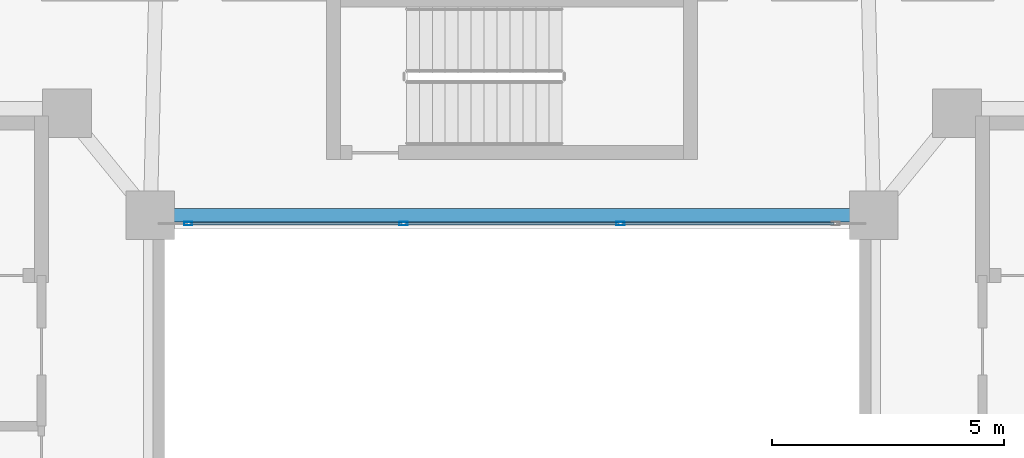
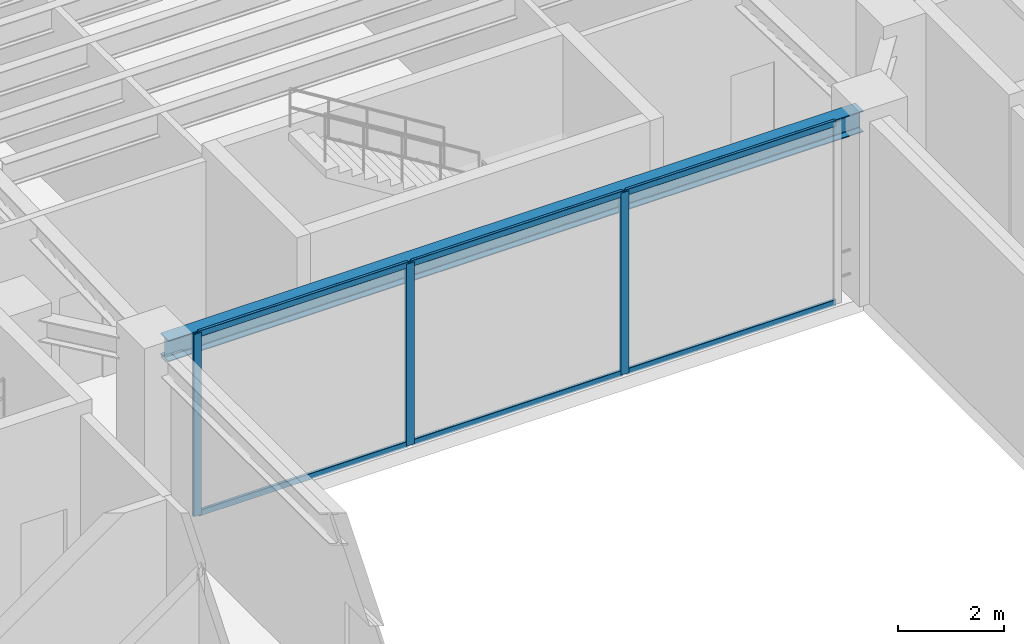
# One storey, part 10 of 33: 9 members, 1 beam, 1 element without a shape of its own.
"""IFC4 building model written with IfcOpenShell, lengths in metres."""

from ifc_helpers import new_model, si_unit, direction, frame, origin, origin_2d, place, context, subcontext, project, spatial, hollow_rectangle, i_section, extrude, material, layer, layer_set, material_profile, profile_set, type_object, element, aggregate, save


model = new_model("IFC4")

# Units and contexts
model_context = context("Model", 3, precision=1e-05, world=origin(), true_north=direction((0.0, 1.0)))
body_context = subcontext(model_context, "Body", "Model", "MODEL_VIEW")
ifc_project = project(units=[si_unit("LENGTHUNIT", "METRE"), si_unit("AREAUNIT", "SQUARE_METRE"), si_unit("VOLUMEUNIT", "CUBIC_METRE"), si_unit("PLANEANGLEUNIT", "RADIAN"), si_unit("MASSUNIT", "GRAM", prefix="KILO")], contexts=[model_context])

# Site, building, storey
site_placement = place(None, origin())
site = spatial("IfcSite", under=ifc_project, at=site_placement, CompositionType="ELEMENT")
building_placement = place(site_placement, origin())
building = spatial("IfcBuilding", under=site, at=building_placement, Name="Tarnavaz Court Tower", CompositionType="ELEMENT")
storey_placement = place(building_placement, frame((0.0, 0.0, 172.800048828125)))
storey = spatial("IfcBuildingStorey", under=building, at=storey_placement, Name="L47", CompositionType="ELEMENT", Elevation=172.800048828125)

# Beam
ifc_material_1 = material(Name="Steel S355", Category="steel")
ifc_material_profile_1 = material_profile(ifc_material_1, i_section(OverallWidth=0.300048828125, OverallDepth=0.489990234375, WebThickness=0.011962890625, FlangeThickness=0.02294921875, FilletRadius=0.027099609375, at=origin_2d()), Name="HEA 500")
ifc_profile_set_1 = profile_set([ifc_material_profile_1], Name="Steel S355")
beam_type = type_object("IfcBeamType", Name="BM-SP-HEA500", PredefinedType="SPANDREL", material=ifc_profile_set_1)
beam_placement = place(storey_placement, frame((-7.580078125, 7.800048828125, 3.954833984375), z_axis=(1.0, 0.0, 0.0), x_axis=(0.0, 1.0, 0.0)))
element("IfcBeam", 1, at=beam_placement, inside=storey, type_object=beam_type, Name="L47 Beam IN-IW-NW-IW-NE", PredefinedType="SPANDREL", context=body_context, shape_type="SweptSolid", body=[
    extrude(i_section(OverallWidth=0.300048828125, OverallDepth=0.489990234375, WebThickness=0.011962890625, FlangeThickness=0.02294921875, FilletRadius=0.027099609375, at=origin_2d()), origin(), (0.0, 0.0, 1.0), 15.16015625),
])

# Curtain wall, members
ifc_material_2 = material(Name="Anodised Aluminium 6063-T6 and Solar Low-E Glazing", Category="aluminium")
ifc_layer = layer(ifc_material_2, 0.139892578125)
ifc_layer_set = layer_set([ifc_layer], Name="Anodised Aluminium 6063-T6 and Solar Low-E Glazing")
curtain_wall_type = type_object("IfcCurtainWallType", Name="CW-SYS-04", PredefinedType="NOTDEFINED", material=ifc_layer_set)
curtain_wall_placement = place(storey_placement, origin())
curtain_wall = element("IfcCurtainWall", 2, at=curtain_wall_placement, inside=storey, type_object=curtain_wall_type, Name="L47 Badgir Courtyard Curtain Wall N", PredefinedType="NOTDEFINED")
ifc_material_3 = material(Name="Anodised Aluminium 6063-T6", Category="aluminium")
ifc_material_profile_2 = material_profile(ifc_material_3, hollow_rectangle(XDim=0.074951171875, YDim=0.179931640625, WallThickness=0.0048828125, InnerFilletRadius=0.0048828125, OuterFilletRadius=0.010009765625, at=origin_2d()), Name="ALU RHS 180X75X5")
ifc_profile_set_2 = profile_set([ifc_material_profile_2], Name="Anodised Aluminium 6063-T6")
member_type_1 = type_object("IfcMemberType", Name="CW-MUL-180", PredefinedType="MULLION", material=ifc_profile_set_2)
member_1_placement = place(storey_placement, frame((2.340087890625, 7.6201171875, 0.0), z_axis=(0.0, 0.0, 1.0), x_axis=(0.0, -1.0, 0.0)))
member_1 = element("IfcMember", 3, at=member_1_placement, type_object=member_type_1, Name="CW mullion 2", PredefinedType="MULLION", context=body_context, shape_type="SweptSolid", body=[
    extrude(hollow_rectangle(XDim=0.074951171875, YDim=0.179931640625, WallThickness=0.0048828125, InnerFilletRadius=0.0048828125, OuterFilletRadius=0.010009765625, at=origin_2d()), origin(), (0.0, 0.0, 1.0), 4.199951171875),
])
member_2_placement = place(storey_placement, frame((-2.340087890625, 7.6201171875, 0.0), z_axis=(0.0, 0.0, 1.0), x_axis=(0.0, -1.0, 0.0)))
member_2 = element("IfcMember", 4, at=member_2_placement, type_object=member_type_1, Name="CW mullion 3", PredefinedType="MULLION", context=body_context, shape_type="SweptSolid", body=[
    extrude(hollow_rectangle(XDim=0.074951171875, YDim=0.179931640625, WallThickness=0.0048828125, InnerFilletRadius=0.0048828125, OuterFilletRadius=0.010009765625, at=origin_2d()), origin(), (0.0, 0.0, 1.0), 4.199951171875),
])
member_3_placement = place(storey_placement, frame((-6.982421875, 7.6201171875, 0.0), z_axis=(0.0, 0.0, 1.0), x_axis=(0.0, -1.0, 0.0)))
member_3 = element("IfcMember", 5, at=member_3_placement, type_object=member_type_1, Name="CW mullion 4", PredefinedType="MULLION", context=body_context, shape_type="SweptSolid", body=[
    extrude(hollow_rectangle(XDim=0.074951171875, YDim=0.179931640625, WallThickness=0.0048828125, InnerFilletRadius=0.0048828125, OuterFilletRadius=0.010009765625, at=origin_2d()), origin(), (0.0, 0.0, 1.0), 4.199951171875),
])
ifc_material_profile_3 = material_profile(ifc_material_3, hollow_rectangle(XDim=0.06494140625, YDim=0.139892578125, WallThickness=0.00390625, InnerFilletRadius=0.00390625, OuterFilletRadius=0.008056640625, at=origin_2d()), Name="ALU RHS 140X65X4")
ifc_profile_set_3 = profile_set([ifc_material_profile_3], Name="Anodised Aluminium 6063-T6")
member_type_2 = type_object("IfcMemberType", Name="CW-TRN-140", PredefinedType="USERDEFINED", material=ifc_profile_set_3)
member_4_placement = place(storey_placement, frame((6.945068359375, 7.6201171875, 0.032470703125), z_axis=(-1.0, 0.0, 0.0), x_axis=(0.0, -1.0, 0.0)))
member_4 = element("IfcMember", 6, at=member_4_placement, type_object=member_type_2, Name="CW transom 1.1", ObjectType="TRANSOM", PredefinedType="USERDEFINED", context=body_context, shape_type="SweptSolid", body=[
    extrude(hollow_rectangle(XDim=0.06494140625, YDim=0.139892578125, WallThickness=0.00390625, InnerFilletRadius=0.00390625, OuterFilletRadius=0.008056640625, at=origin_2d()), origin(), (0.0, 0.0, 1.0), 4.567626953125),
])
member_5_placement = place(storey_placement, frame((6.945068359375, 7.6201171875, 4.16748046875), z_axis=(-1.0, 0.0, 0.0), x_axis=(0.0, -1.0, 0.0)))
member_5 = element("IfcMember", 7, at=member_5_placement, type_object=member_type_2, Name="CW transom 1.2", ObjectType="TRANSOM", PredefinedType="USERDEFINED", context=body_context, shape_type="SweptSolid", body=[
    extrude(hollow_rectangle(XDim=0.06494140625, YDim=0.139892578125, WallThickness=0.00390625, InnerFilletRadius=0.00390625, OuterFilletRadius=0.008056640625, at=origin_2d()), origin(), (0.0, 0.0, 1.0), 4.567626953125),
])
member_6_placement = place(storey_placement, frame((2.302490234375, 7.6201171875, 0.032470703125), z_axis=(-1.0, 0.0, 0.0), x_axis=(0.0, -1.0, 0.0)))
member_6 = element("IfcMember", 8, at=member_6_placement, type_object=member_type_2, Name="CW transom 2.1", ObjectType="TRANSOM", PredefinedType="USERDEFINED", context=body_context, shape_type="SweptSolid", body=[
    extrude(hollow_rectangle(XDim=0.06494140625, YDim=0.139892578125, WallThickness=0.00390625, InnerFilletRadius=0.00390625, OuterFilletRadius=0.008056640625, at=origin_2d()), origin(), (0.0, 0.0, 1.0), 4.60498046875),
])
member_7_placement = place(storey_placement, frame((2.302490234375, 7.6201171875, 4.16748046875), z_axis=(-1.0, 0.0, 0.0), x_axis=(0.0, -1.0, 0.0)))
member_7 = element("IfcMember", 9, at=member_7_placement, type_object=member_type_2, Name="CW transom 2.2", ObjectType="TRANSOM", PredefinedType="USERDEFINED", context=body_context, shape_type="SweptSolid", body=[
    extrude(hollow_rectangle(XDim=0.06494140625, YDim=0.139892578125, WallThickness=0.00390625, InnerFilletRadius=0.00390625, OuterFilletRadius=0.008056640625, at=origin_2d()), origin(), (0.0, 0.0, 1.0), 4.60498046875),
])
member_8_placement = place(storey_placement, frame((-2.37744140625, 7.6201171875, 0.032470703125), z_axis=(-1.0, 0.0, 0.0), x_axis=(0.0, -1.0, 0.0)))
member_8 = element("IfcMember", 10, at=member_8_placement, type_object=member_type_2, Name="CW transom 3.1", ObjectType="TRANSOM", PredefinedType="USERDEFINED", context=body_context, shape_type="SweptSolid", body=[
    extrude(hollow_rectangle(XDim=0.06494140625, YDim=0.139892578125, WallThickness=0.00390625, InnerFilletRadius=0.00390625, OuterFilletRadius=0.008056640625, at=origin_2d()), origin(), (0.0, 0.0, 1.0), 4.567626953125),
])
member_9_placement = place(storey_placement, frame((-2.37744140625, 7.6201171875, 4.16748046875), z_axis=(-1.0, 0.0, 0.0), x_axis=(0.0, -1.0, 0.0)))
member_9 = element("IfcMember", 11, at=member_9_placement, type_object=member_type_2, Name="CW transom 3.2", ObjectType="TRANSOM", PredefinedType="USERDEFINED", context=body_context, shape_type="SweptSolid", body=[
    extrude(hollow_rectangle(XDim=0.06494140625, YDim=0.139892578125, WallThickness=0.00390625, InnerFilletRadius=0.00390625, OuterFilletRadius=0.008056640625, at=origin_2d()), origin(), (0.0, 0.0, 1.0), 4.567626953125),
])
aggregate(curtain_wall, [member_1, member_2, member_3, member_4, member_5, member_6, member_7, member_8, member_9])

save(model, "model.ifc")
